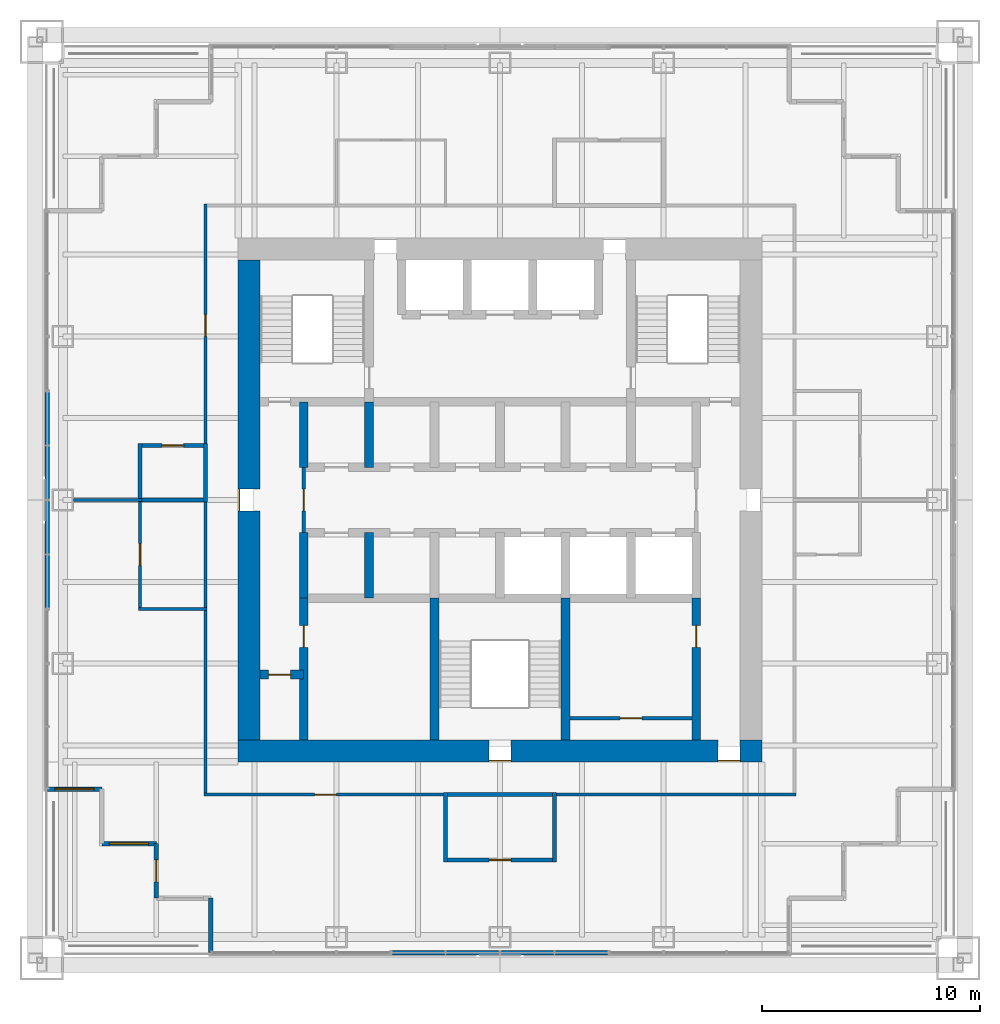
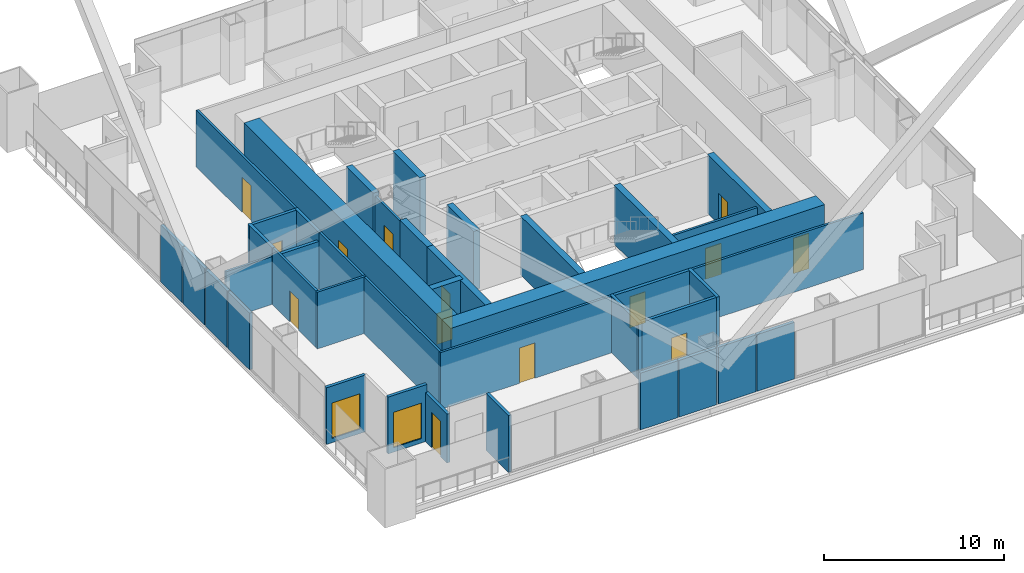
# One storey, part 14 of 19: 40 walls, 14 doors, 2 windows, 16 openings.
"""IFC4 building model written with IfcOpenShell, lengths in metres."""

import ifcopenshell
import ifcopenshell.guid

model = None  # the IFC model being written
_history = None  # IfcOwnerHistory: only IFC2X3 demands one
_inside = {}  # id of a spatial element -> (the spatial element, [elements in it])
_under = {}  # id of a project, library or spatial element -> (it, [spatial elements below it])
_declared = {}  # id of a project -> (the project, [libraries it declares])
_typed = {}  # id of a type object -> (the type object, [elements of that type])
_made_of = {}  # id of a material, layer set ... -> (it, [elements and type objects made of it])


def new_model(schema):
    """Start an empty IFC model of exactly this schema.

    Asked for "IFC4X3", IfcOpenShell would pick the latest addendum, in which some entities
    have other attributes; the version numbers below select the first issue.
    IFC2X3 requires an IfcOwnerHistory on every rooted entity: one is made here for all.
    """
    global model, _history
    if schema == "IFC4X3":
        model = ifcopenshell.file(schema_version=(4, 3, 0, 0))
    else:
        model = ifcopenshell.file(schema=schema)
    _inside.clear()
    _under.clear()
    _declared.clear()
    _typed.clear()
    _made_of.clear()
    _history = None
    if model.schema == "IFC2X3":
        org = make("IfcOrganization", Name="unknown")
        user = make(
            "IfcPersonAndOrganization",
            ThePerson=make("IfcPerson", FamilyName="unknown"),
            TheOrganization=org,
        )
        app = make(
            "IfcApplication",
            ApplicationDeveloper=org,
            Version="unknown",
            ApplicationFullName="unknown",
            ApplicationIdentifier="unknown",
        )
        _history = make(
            "IfcOwnerHistory",
            OwningUser=user,
            OwningApplication=app,
            ChangeAction="ADDED",
            CreationDate=0,
        )
    return model


def make(cls, **values):
    """One entity of the class cls with the attributes given. An attribute that is None is left unset."""
    return model.create_entity(
        cls, **{name: value for name, value in values.items() if value is not None}
    )


def rooted(cls, **values):
    """An entity with a GlobalId (a new one), such as an element, a storey or a relation."""
    return make(cls, GlobalId=ifcopenshell.guid.new(), OwnerHistory=_history, **values)


def si_unit(unit_type, name, prefix=None):
    """IfcSIUnit, for example si_unit("LENGTHUNIT", "METRE", prefix="MILLI")."""
    return make("IfcSIUnit", UnitType=unit_type, Prefix=prefix, Name=name)


def assignment(units):
    """IfcUnitAssignment: the units of a project."""
    return None if units is None else make("IfcUnitAssignment", Units=units)


def point(xyz):
    """IfcCartesianPoint."""
    return None if xyz is None else make("IfcCartesianPoint", Coordinates=xyz)


def direction(xyz):
    """IfcDirection."""
    return None if xyz is None else make("IfcDirection", DirectionRatios=xyz)


def frame(location, z_axis=None, x_axis=None):
    """IfcAxis2Placement3D, a coordinate frame: its origin and axes. An axis left out is left unset."""
    return make(
        "IfcAxis2Placement3D",
        Location=point(location),
        Axis=direction(z_axis),
        RefDirection=direction(x_axis),
    )


def frame_2d(location, x_axis=None):
    """IfcAxis2Placement2D, a coordinate frame in the plane: its origin and x axis."""
    return make(
        "IfcAxis2Placement2D", Location=point(location), RefDirection=direction(x_axis)
    )


def origin():
    """The frame at (0, 0, 0) with its axes left unset."""
    return frame((0.0, 0.0, 0.0))


def place(relative_to, where):
    """IfcLocalPlacement: puts the frame where relative to a parent placement (None: the world)."""
    return make(
        "IfcLocalPlacement", PlacementRelTo=relative_to, RelativePlacement=where
    )


def context(
    kind, dimensions, precision=None, world=None, true_north=None, identifier=None
):
    """IfcGeometricRepresentationContext, for example the 3D "Model" context."""
    return make(
        "IfcGeometricRepresentationContext",
        ContextIdentifier=identifier,
        ContextType=kind,
        CoordinateSpaceDimension=dimensions,
        Precision=precision,
        WorldCoordinateSystem=world,
        TrueNorth=true_north,
    )


def subcontext(parent, identifier, kind, view, scale=None):
    """IfcGeometricRepresentationSubContext, for example "Body" below "Model"."""
    return make(
        "IfcGeometricRepresentationSubContext",
        ContextIdentifier=identifier,
        ContextType=kind,
        ParentContext=parent,
        TargetScale=scale,
        TargetView=view,
    )


def project(units=None, contexts=None):
    """IfcProject with its units and contexts."""
    return rooted(
        "IfcProject",
        Name="project",
        RepresentationContexts=contexts,
        UnitsInContext=assignment(units),
    )


def spatial(cls, under=None, at=None, **own):
    """A site, building, storey or space (cls), placed at a placement, below another one or the project."""
    s = rooted(cls, ObjectPlacement=at, **own)
    if under is not None:
        _under.setdefault(under.id(), (under, []))[1].append(s)
    return s


def profile(cls, at=None, kind="AREA", **sizes):
    """A parametric profile (cls). Its sizes go by their IFC names, for example OverallWidth=200.0."""
    return make(cls, ProfileType=kind, Position=at, **sizes)


def rectangle(**sizes):
    """IfcRectangleProfileDef."""
    return profile("IfcRectangleProfileDef", **sizes)


def extrude(swept, where, along, depth):
    """IfcExtrudedAreaSolid: the profile swept, set in the frame where, extruded along a direction by depth."""
    return make(
        "IfcExtrudedAreaSolid",
        SweptArea=swept,
        Position=where,
        ExtrudedDirection=direction(along),
        Depth=depth,
    )


def shape(context_of_items, identifier, shape_type, items):
    """IfcShapeRepresentation: the items that make up one representation, for example the "Body"."""
    return make(
        "IfcShapeRepresentation",
        ContextOfItems=context_of_items,
        RepresentationIdentifier=identifier,
        RepresentationType=shape_type,
        Items=items,
    )


def material(Name=None, Category=None):
    """IfcMaterial."""
    return make("IfcMaterial", Name=Name, Category=Category)


def layer(
    of_material, thickness, ventilated=None, Name=None, Category=None, Priority=None
):
    """IfcMaterialLayer: one layer of a wall or slab, of a material (None: an air gap)."""
    return make(
        "IfcMaterialLayer",
        Material=of_material,
        LayerThickness=thickness,
        IsVentilated=ventilated,
        Name=Name,
        Category=Category,
        Priority=Priority,
    )


def layer_set(layers, Name=None):
    """IfcMaterialLayerSet."""
    return make("IfcMaterialLayerSet", MaterialLayers=layers, LayerSetName=Name)


def made_of(thing, what):
    """Note that an element or type object is made of a material, layer set ...; save() writes the relation."""
    if what is not None:
        _made_of.setdefault(what.id(), (what, []))[1].append(thing)
    return thing


def type_object(cls, material=None, **own):
    """A type object (cls), such as IfcWallType, which elements share."""
    return made_of(rooted(cls, **own), material)


def element(
    cls,
    number,
    at=None,
    inside=None,
    cuts=None,
    type_object=None,
    material=None,
    context=None,
    identifier="Body",
    shape_type=None,
    held_by="IfcProductDefinitionShape",
    body=None,
    shapes=None,
    **own,
):
    """One element of the class cls, such as IfcWall. Its Tag is "e" and its number.

    at: its placement. inside: the storey or other place that contains it. cuts: it is an
    opening in that element (IfcRelVoidsElement). A single representation is given by context,
    identifier, shape_type and body (its items); several are given by shapes. held_by: the class
    of the entity that holds the representations. save() writes the other relations.
    """
    e = rooted(cls, Tag="e%d" % number, ObjectPlacement=at, **own)
    if body is not None:
        shapes = [shape(context, identifier, shape_type, body)]
    if shapes is not None:
        e.Representation = make(held_by, Representations=shapes)
    if inside is not None:
        _inside.setdefault(inside.id(), (inside, []))[1].append(e)
    if cuts is not None:
        rooted(
            "IfcRelVoidsElement", RelatingBuildingElement=cuts, RelatedOpeningElement=e
        )
    if type_object is not None:
        _typed.setdefault(type_object.id(), (type_object, []))[1].append(e)
    return made_of(e, material)


def fill(opening, filler):
    """IfcRelFillsElement: the door or window that sits in an opening."""
    return rooted(
        "IfcRelFillsElement",
        RelatingOpeningElement=opening,
        RelatedBuildingElement=filler,
    )


def aggregate(whole, parts):
    """IfcRelAggregates: a whole, such as a stair, and the parts it consists of."""
    return rooted("IfcRelAggregates", RelatingObject=whole, RelatedObjects=parts)


def save(model, path):
    """Write the relations noted so far, then the file.

    IfcRelAggregates (storeys below a building ...), IfcRelContainedInSpatialStructure (elements
    in a storey), IfcRelDefinesByType, IfcRelAssociatesMaterial and IfcRelDeclares: one each for
    every whole, place, type object, material and project.
    """
    for whole, parts in _under.values():
        aggregate(whole, parts)
    for where, things in _inside.values():
        rooted(
            "IfcRelContainedInSpatialStructure",
            RelatedElements=things,
            RelatingStructure=where,
        )
    for kind, things in _typed.values():
        rooted("IfcRelDefinesByType", RelatedObjects=things, RelatingType=kind)
    for what, things in _made_of.values():
        rooted("IfcRelAssociatesMaterial", RelatedObjects=things, RelatingMaterial=what)
    for by, libraries in _declared.values():
        rooted("IfcRelDeclares", RelatingContext=by, RelatedDefinitions=libraries)
    model.write(path)


model = new_model("IFC4")

# Units and contexts
model_context = context("Model", 3, precision=1e-05, world=origin(), true_north=direction((0.0, 1.0)))
body_context = subcontext(model_context, "Body", "Model", "MODEL_VIEW")
ifc_project = project(units=[si_unit("LENGTHUNIT", "METRE"), si_unit("AREAUNIT", "SQUARE_METRE"), si_unit("VOLUMEUNIT", "CUBIC_METRE"), si_unit("PLANEANGLEUNIT", "RADIAN"), si_unit("MASSUNIT", "GRAM", prefix="KILO")], contexts=[model_context])

# Site, building, storey
site_placement = place(None, origin())
site = spatial("IfcSite", under=ifc_project, at=site_placement, CompositionType="ELEMENT")
building_placement = place(site_placement, origin())
building = spatial("IfcBuilding", under=site, at=building_placement, Name="Tarangal Relay Tower", CompositionType="ELEMENT")
storey_placement = place(building_placement, frame((0.0, 0.0, 275.89990234375)))
storey = spatial("IfcBuildingStorey", under=building, at=storey_placement, Name="L60", CompositionType="ELEMENT", Elevation=275.89990234375)

# Wall, opening, door
ifc_material_1 = material(Name="Two layers gypsum board each side on twin steel studs, mineral wool", Category="steel")
ifc_layer_1 = layer(ifc_material_1, 0.199951171875)
ifc_layer_set_1 = layer_set([ifc_layer_1], Name="Acoustic partition 200")
wall_type_1 = type_object("IfcWallType", Name="Acoustic partition 200", PredefinedType="PARTITIONING", material=ifc_layer_set_1)
wall_1_placement = place(storey_placement, frame((-2.60009765625, -16.5, 0.0), z_axis=(0.0, 0.0, 1.0), x_axis=(1.0, 0.0, 0.0)))
wall_1 = element("IfcWall", 1, at=wall_1_placement, inside=storey, type_object=wall_type_1, Name="Partition PT2 L60", PredefinedType="PARTITIONING", context=body_context, shape_type="SweptSolid", body=[
    extrude(rectangle(XDim=5.2001953125, YDim=0.199951171875, at=frame_2d((2.60009765625, 0.0))), origin(), (0.0, 0.0, 1.0), 3.85009765625),
])
opening_1_placement = place(wall_1_placement, frame((2.10009765625, 0.0, 0.0)))
opening_1 = element("IfcOpeningElement", 2, at=opening_1_placement, cuts=wall_1, Name="Opening D2", PredefinedType="OPENING", context=body_context, shape_type="SweptSolid", body=[
    extrude(rectangle(XDim=1.0, YDim=2.10009765625, at=frame_2d((0.5, 1.050048828125))), frame((0.0, 0.10986328125, 0.0), z_axis=(0.0, -1.0, 0.0), x_axis=(1.0, 0.0, 0.0)), (0.0, 0.0, 1.0), 0.219970703125),
])
ifc_material_2 = material(Name="Hardwood door", Category="wood")
door_type_1 = type_object("IfcDoorType", Name="Door 1000 x 2100", OperationType="SINGLE_SWING_LEFT", PredefinedType="DOOR", material=ifc_material_2)
door_1_placement = place(opening_1_placement, origin())
door_1 = element("IfcDoor", 3, at=door_1_placement, inside=storey, type_object=door_type_1, Name="Door D2 to meeting room L60-06", OperationType="SINGLE_SWING_LEFT", OverallHeight=2.10009765625, OverallWidth=1.0, PredefinedType="DOOR", context=body_context, shape_type="SweptSolid", body=[
    extrude(rectangle(XDim=1.0, YDim=2.10009765625, at=frame_2d((0.5, 1.050048828125))), frame((0.0, 0.02490234375, 0.0), z_axis=(0.0, -1.0, 0.0), x_axis=(1.0, 0.0, 0.0)), (0.0, 0.0, 1.0), 0.050048828125),
])
fill(opening_1, door_1)

# Walls
wall_2_placement = place(storey_placement, frame((-2.60009765625, -13.5, 0.0), z_axis=(0.0, 0.0, 1.0), x_axis=(1.0, 0.0, 0.0)))
element("IfcWall", 4, at=wall_2_placement, inside=storey, type_object=wall_type_1, Name="Partition PT2 L60", PredefinedType="PARTITIONING", context=body_context, shape_type="SweptSolid", body=[
    extrude(rectangle(XDim=5.2001953125, YDim=0.199951171875, at=frame_2d((2.60009765625, 0.0))), origin(), (0.0, 0.0, 1.0), 3.85009765625),
])
wall_3_placement = place(storey_placement, frame((-16.60009765625, 0.0, 0.0), z_axis=(0.0, 0.0, 1.0), x_axis=(1.0, 0.0, 0.0)))
element("IfcWall", 5, at=wall_3_placement, inside=storey, type_object=wall_type_1, Name="Partition PT2 L60", PredefinedType="PARTITIONING", context=body_context, shape_type="SweptSolid", body=[
    extrude(rectangle(XDim=3.2001953125, YDim=0.199951171875, at=frame_2d((1.60009765625, 0.0))), origin(), (0.0, 0.0, 1.0), 3.2431640625),
])

# Wall, opening, door
wall_4_placement = place(storey_placement, frame((-16.60009765625, 2.5, 0.0), z_axis=(0.0, 0.0, 1.0), x_axis=(1.0, 0.0, 0.0)))
wall_4 = element("IfcWall", 6, at=wall_4_placement, inside=storey, type_object=wall_type_1, Name="Partition PT2 L60", PredefinedType="PARTITIONING", context=body_context, shape_type="SweptSolid", body=[
    extrude(rectangle(XDim=3.2001953125, YDim=0.199951171875, at=frame_2d((1.60009765625, 0.0))), origin(), (0.0, 0.0, 1.0), 3.85009765625),
])
opening_2_placement = place(wall_4_placement, frame((1.10009765625, 0.0, 0.0)))
opening_2 = element("IfcOpeningElement", 7, at=opening_2_placement, cuts=wall_4, Name="Opening D2", PredefinedType="OPENING", context=body_context, shape_type="SweptSolid", body=[
    extrude(rectangle(XDim=1.0, YDim=2.10009765625, at=frame_2d((0.5, 1.050048828125))), frame((0.0, 0.10986328125, 0.0), z_axis=(0.0, -1.0, 0.0), x_axis=(1.0, 0.0, 0.0)), (0.0, 0.0, 1.0), 0.219970703125),
])
door_2_placement = place(opening_2_placement, origin())
door_2 = element("IfcDoor", 8, at=door_2_placement, inside=storey, type_object=door_type_1, Name="Door D2 to phone room L60-08", OperationType="SINGLE_SWING_LEFT", OverallHeight=2.10009765625, OverallWidth=1.0, PredefinedType="DOOR", context=body_context, shape_type="SweptSolid", body=[
    extrude(rectangle(XDim=1.0, YDim=2.10009765625, at=frame_2d((0.5, 1.050048828125))), frame((0.0, 0.02490234375, 0.0), z_axis=(0.0, -1.0, 0.0), x_axis=(1.0, 0.0, 0.0)), (0.0, 0.0, 1.0), 0.050048828125),
])
fill(opening_2, door_2)

# Walls
for number, where, z_axis, x_axis, name in (
    (9, (-16.5, -0.10009765625, 0.0), (0.0, 0.0, 1.0), (0.0, 1.0, 0.0), "Partition PT2 L60"),
    (10, (-13.5, -0.10009765625, 0.0), (0.0, 0.0, 1.0), (0.0, 1.0, 0.0), "Partition PT2 L60"),
):
    element("IfcWall", number, at=place(storey_placement, frame(where, z_axis=z_axis, x_axis=x_axis)), inside=storey, type_object=wall_type_1, Name=name, PredefinedType="PARTITIONING", context=body_context, shape_type="SweptSolid", body=[
        extrude(rectangle(XDim=2.7001953125, YDim=0.199951171875, at=frame_2d((1.35009765625, 0.0))), origin(), (0.0, 0.0, 1.0), 3.85009765625),
    ])
for number, where, z_axis, x_axis, name in (
    (11, (-2.5, -16.60009765625, 0.0), (0.0, 0.0, 1.0), (0.0, 1.0, 0.0), "Partition PT2 L60"),
    (12, (2.5, -16.60009765625, 0.0), (0.0, 0.0, 1.0), (0.0, 1.0, 0.0), "Partition PT2 L60"),
):
    element("IfcWall", number, at=place(storey_placement, frame(where, z_axis=z_axis, x_axis=x_axis)), inside=storey, type_object=wall_type_1, Name=name, PredefinedType="PARTITIONING", context=body_context, shape_type="SweptSolid", body=[
        extrude(rectangle(XDim=3.2001953125, YDim=0.199951171875, at=frame_2d((1.60009765625, 0.0))), origin(), (0.0, 0.0, 1.0), 3.85009765625),
    ])

# Wall, opening, door
ifc_material_3 = material(Name="Concrete fc' 60 MPa", Category="concrete")
ifc_layer_2 = layer(ifc_material_3, 0.39990234375)
ifc_layer_set_2 = layer_set([ifc_layer_2], Name="Core inner wall 400")
wall_type_2 = type_object("IfcWallType", Name="Core inner wall 400", PredefinedType="SHEAR", material=ifc_layer_set_2)
wall_5_placement = place(storey_placement, frame((-11.0, -8.0, 0.0), z_axis=(0.0, 0.0, 1.0), x_axis=(1.0, 0.0, 0.0)))
wall_5 = element("IfcWall", 13, at=wall_5_placement, inside=storey, type_object=wall_type_2, Name="Core wall YM8 L60", PredefinedType="SHEAR", context=body_context, shape_type="SweptSolid", body=[
    extrude(rectangle(XDim=2.0, YDim=0.39990234375, at=frame_2d((1.0, 0.0))), origin(), (0.0, 0.0, 1.0), 4.0),
])
opening_3_placement = place(wall_5_placement, frame((0.39990234375, 0.0, 0.0)))
opening_3 = element("IfcOpeningElement", 14, at=opening_3_placement, cuts=wall_5, Name="Opening D1", PredefinedType="OPENING", context=body_context, shape_type="SweptSolid", body=[
    extrude(rectangle(XDim=1.0, YDim=2.10009765625, at=frame_2d((0.5, 1.050048828125))), frame((0.0, 0.2099609375, 0.0), z_axis=(0.0, -1.0, 0.0), x_axis=(1.0, 0.0, 0.0)), (0.0, 0.0, 1.0), 0.419921875),
])
door_type_2 = type_object("IfcDoorType", Name="WC door 1000 x 2100", OperationType="SINGLE_SWING_LEFT", PredefinedType="DOOR", material=ifc_material_2)
door_3_placement = place(opening_3_placement, origin())
door_3 = element("IfcDoor", 15, at=door_3_placement, inside=storey, type_object=door_type_2, Name="Accessible WC door L60", OperationType="SINGLE_SWING_LEFT", OverallHeight=2.10009765625, OverallWidth=1.0, PredefinedType="DOOR", context=body_context, shape_type="SweptSolid", body=[
    extrude(rectangle(XDim=1.0, YDim=2.10009765625, at=frame_2d((0.5, 1.050048828125))), frame((0.0, 0.02490234375, 0.0), z_axis=(0.0, -1.0, 0.0), x_axis=(1.0, 0.0, 0.0)), (0.0, 0.0, 1.0), 0.050048828125),
])
fill(opening_3, door_3)

# Walls
for number, where, z_axis, x_axis, name in (
    (16, (-9.0, 1.5, 0.0), (0.0, 0.0, 1.0), (0.0, 1.0, 0.0), "Core wall XM9N L60"),
    (17, (-9.0, -4.5, 0.0), (0.0, 0.0, 1.0), (0.0, 1.0, 0.0), "Core wall XM9S L60"),
    (18, (-6.0, 1.5, 0.0), (0.0, 0.0, 1.0), (0.0, 1.0, 0.0), "Core wall XM6N L60"),
    (19, (-6.0, -4.5, 0.0), (0.0, 0.0, 1.0), (0.0, 1.0, 0.0), "Core wall XM6S L60"),
):
    element("IfcWall", number, at=place(storey_placement, frame(where, z_axis=z_axis, x_axis=x_axis)), inside=storey, type_object=wall_type_2, Name=name, PredefinedType="SHEAR", context=body_context, shape_type="SweptSolid", body=[
        extrude(rectangle(XDim=3.0, YDim=0.39990234375, at=frame_2d((1.5, 0.0))), origin(), (0.0, 0.0, 1.0), 4.0),
    ])

# Wall, opening, door
wall_6_placement = place(storey_placement, frame((-9.0, -11.0, 0.0), z_axis=(0.0, 0.0, 1.0), x_axis=(0.0, 1.0, 0.0)))
wall_6 = element("IfcWall", 20, at=wall_6_placement, inside=storey, type_object=wall_type_2, Name="Core wall XM9W L60", PredefinedType="SHEAR", context=body_context, shape_type="SweptSolid", body=[
    extrude(rectangle(XDim=6.5, YDim=0.39990234375, at=frame_2d((3.25, 0.0))), origin(), (0.0, 0.0, 1.0), 4.0),
])
opening_4_placement = place(wall_6_placement, frame((4.25, 0.0, 0.0)))
opening_4 = element("IfcOpeningElement", 21, at=opening_4_placement, cuts=wall_6, Name="Opening D1", PredefinedType="OPENING", context=body_context, shape_type="SweptSolid", body=[
    extrude(rectangle(XDim=1.0, YDim=2.10009765625, at=frame_2d((0.5, 1.050048828125))), frame((0.0, 0.2099609375, 0.0), z_axis=(0.0, -1.0, 0.0), x_axis=(1.0, 0.0, 0.0)), (0.0, 0.0, 1.0), 0.419921875),
])
door_4_placement = place(opening_4_placement, origin())
door_4 = element("IfcDoor", 22, at=door_4_placement, inside=storey, type_object=door_type_2, Name="Male WC door L60", OperationType="SINGLE_SWING_LEFT", OverallHeight=2.10009765625, OverallWidth=1.0, PredefinedType="DOOR", context=body_context, shape_type="SweptSolid", body=[
    extrude(rectangle(XDim=1.0, YDim=2.10009765625, at=frame_2d((0.5, 1.050048828125))), frame((0.0, 0.02490234375, 0.0), z_axis=(0.0, -1.0, 0.0), x_axis=(1.0, 0.0, 0.0)), (0.0, 0.0, 1.0), 0.050048828125),
])
fill(opening_4, door_4)

wall_7_placement = place(storey_placement, frame((9.0, -11.0, 0.0), z_axis=(0.0, 0.0, 1.0), x_axis=(0.0, 1.0, 0.0)))
wall_7 = element("IfcWall", 23, at=wall_7_placement, inside=storey, type_object=wall_type_2, Name="Core wall X9W L60", PredefinedType="SHEAR", context=body_context, shape_type="SweptSolid", body=[
    extrude(rectangle(XDim=6.5, YDim=0.39990234375, at=frame_2d((3.25, 0.0))), origin(), (0.0, 0.0, 1.0), 4.0),
])
opening_5_placement = place(wall_7_placement, frame((4.25, 0.0, 0.0)))
opening_5 = element("IfcOpeningElement", 24, at=opening_5_placement, cuts=wall_7, Name="Opening D1", PredefinedType="OPENING", context=body_context, shape_type="SweptSolid", body=[
    extrude(rectangle(XDim=1.0, YDim=2.10009765625, at=frame_2d((0.5, 1.050048828125))), frame((0.0, 0.2099609375, 0.0), z_axis=(0.0, -1.0, 0.0), x_axis=(1.0, 0.0, 0.0)), (0.0, 0.0, 1.0), 0.419921875),
])
door_5_placement = place(opening_5_placement, origin())
door_5 = element("IfcDoor", 25, at=door_5_placement, inside=storey, type_object=door_type_2, Name="Female WC door L60", OperationType="SINGLE_SWING_LEFT", OverallHeight=2.10009765625, OverallWidth=1.0, PredefinedType="DOOR", context=body_context, shape_type="SweptSolid", body=[
    extrude(rectangle(XDim=1.0, YDim=2.10009765625, at=frame_2d((0.5, 1.050048828125))), frame((0.0, 0.02490234375, 0.0), z_axis=(0.0, -1.0, 0.0), x_axis=(1.0, 0.0, 0.0)), (0.0, 0.0, 1.0), 0.050048828125),
])
fill(opening_5, door_5)

# Walls
for number, where, z_axis, x_axis, name in (
    (26, (-3.0, -11.0, 0.0), (0.0, 0.0, 1.0), (0.0, 1.0, 0.0), "Core wall XM3W L60"),
    (27, (3.0, -11.0, 0.0), (0.0, 0.0, 1.0), (0.0, 1.0, 0.0), "Core wall X3W L60"),
):
    element("IfcWall", number, at=place(storey_placement, frame(where, z_axis=z_axis, x_axis=x_axis)), inside=storey, type_object=wall_type_2, Name=name, PredefinedType="SHEAR", context=body_context, shape_type="SweptSolid", body=[
        extrude(rectangle(XDim=6.5, YDim=0.39990234375, at=frame_2d((3.25, 0.0))), origin(), (0.0, 0.0, 1.0), 4.0),
    ])

# Wall, openings, doors
ifc_layer_3 = layer(ifc_material_3, 1.0)
ifc_layer_set_3 = layer_set([ifc_layer_3], Name="Core wall 1000")
wall_type_3 = type_object("IfcWallType", Name="Core wall 1000", PredefinedType="SHEAR", material=ifc_layer_set_3)
wall_8_placement = place(storey_placement, frame((12.0, -11.5, 0.0), z_axis=(0.0, 0.0, 1.0), x_axis=(-1.0, 0.0, 0.0)))
wall_8 = element("IfcWall", 28, at=wall_8_placement, inside=storey, type_object=wall_type_3, Name="Core wall S L60", PredefinedType="SHEAR", context=body_context, shape_type="SweptSolid", body=[
    extrude(rectangle(XDim=24.0, YDim=1.0, at=frame_2d((12.0, 0.0))), origin(), (0.0, 0.0, 1.0), 4.0),
])
opening_6_placement = place(wall_8_placement, frame((11.5, 0.0, 0.0)))
opening_6 = element("IfcOpeningElement", 29, at=opening_6_placement, cuts=wall_8, Name="Opening FD1", PredefinedType="OPENING", context=body_context, shape_type="SweptSolid", body=[
    extrude(rectangle(XDim=1.0, YDim=2.10009765625, at=frame_2d((0.5, 1.050048828125))), frame((0.0, 0.510009765625, 0.0), z_axis=(0.0, -1.0, 0.0), x_axis=(1.0, 0.0, 0.0)), (0.0, 0.0, 1.0), 1.02001953125),
])
opening_7_placement = place(wall_8_placement, frame((1.0, 0.0, 0.0)))
opening_7 = element("IfcOpeningElement", 30, at=opening_7_placement, cuts=wall_8, Name="Opening FD3", PredefinedType="OPENING", context=body_context, shape_type="SweptSolid", body=[
    extrude(rectangle(XDim=1.0, YDim=2.39990234375, at=frame_2d((0.5, 1.199951171875))), frame((0.0, 0.510009765625, 0.0), z_axis=(0.0, -1.0, 0.0), x_axis=(1.0, 0.0, 0.0)), (0.0, 0.0, 1.0), 1.02001953125),
])
ifc_material_4 = material(Name="Steel door with hardwood frame", Category="steel")
door_type_3 = type_object("IfcDoorType", Name="Fire door 1000 x 2100", OperationType="SINGLE_SWING_LEFT", PredefinedType="DOOR", material=ifc_material_4)
door_6_placement = place(opening_6_placement, origin())
door_6 = element("IfcDoor", 31, at=door_6_placement, inside=storey, type_object=door_type_3, Name="Stair ST-C door L60", OperationType="SINGLE_SWING_LEFT", OverallHeight=2.10009765625, OverallWidth=1.0, PredefinedType="DOOR", context=body_context, shape_type="SweptSolid", body=[
    extrude(rectangle(XDim=1.0, YDim=2.10009765625, at=frame_2d((0.5, 1.050048828125))), frame((0.0, 0.48486328125, 0.0), z_axis=(0.0, -1.0, 0.0), x_axis=(1.0, 0.0, 0.0)), (0.0, 0.0, 1.0), 0.050048828125),
])
fill(opening_6, door_6)
door_type_4 = type_object("IfcDoorType", Name="Fire door 1000 x 2400 core entry", OperationType="SINGLE_SWING_RIGHT", PredefinedType="DOOR", material=ifc_material_4)
door_7_placement = place(opening_7_placement, origin())
door_7 = element("IfcDoor", 32, at=door_7_placement, inside=storey, type_object=door_type_4, Name="Core entry door south east L60", OperationType="SINGLE_SWING_RIGHT", OverallHeight=2.39990234375, OverallWidth=1.0, PredefinedType="DOOR", context=body_context, shape_type="SweptSolid", body=[
    extrude(rectangle(XDim=1.0, YDim=2.39990234375, at=frame_2d((0.5, 1.199951171875))), frame((0.0, 0.48486328125, 0.0), z_axis=(0.0, -1.0, 0.0), x_axis=(1.0, 0.0, 0.0)), (0.0, 0.0, 1.0), 0.050048828125),
])
fill(opening_7, door_7)

# Wall, opening, door
wall_9_placement = place(storey_placement, frame((-11.5, -11.0, 0.0), z_axis=(0.0, 0.0, 1.0), x_axis=(0.0, 1.0, 0.0)))
wall_9 = element("IfcWall", 33, at=wall_9_placement, inside=storey, type_object=wall_type_3, Name="Core wall W L60", PredefinedType="SHEAR", context=body_context, shape_type="SweptSolid", body=[
    extrude(rectangle(XDim=22.0, YDim=1.0, at=frame_2d((11.0, 0.0))), origin(), (0.0, 0.0, 1.0), 4.0),
])
opening_8_placement = place(wall_9_placement, frame((10.5, 0.0, 0.0)))
opening_8 = element("IfcOpeningElement", 34, at=opening_8_placement, cuts=wall_9, Name="Opening FD3", PredefinedType="OPENING", context=body_context, shape_type="SweptSolid", body=[
    extrude(rectangle(XDim=1.0, YDim=2.39990234375, at=frame_2d((0.5, 1.199951171875))), frame((0.0, 0.510009765625, 0.0), z_axis=(0.0, -1.0, 0.0), x_axis=(1.0, 0.0, 0.0)), (0.0, 0.0, 1.0), 1.02001953125),
])
door_8_placement = place(opening_8_placement, origin())
door_8 = element("IfcDoor", 35, at=door_8_placement, inside=storey, type_object=door_type_4, Name="Core entry door west L60", OperationType="SINGLE_SWING_RIGHT", OverallHeight=2.39990234375, OverallWidth=1.0, PredefinedType="DOOR", context=body_context, shape_type="SweptSolid", body=[
    extrude(rectangle(XDim=1.0, YDim=2.39990234375, at=frame_2d((0.5, 1.199951171875))), frame((0.0, 0.48486328125, 0.0), z_axis=(0.0, -1.0, 0.0), x_axis=(1.0, 0.0, 0.0)), (0.0, 0.0, 1.0), 0.050048828125),
])
fill(opening_8, door_8)

# Wall
ifc_material_5 = material(Name="Black metal clad insulated wall", Category="steel")
ifc_layer_4 = layer(ifc_material_5, 0.199951171875)
ifc_layer_set_4 = layer_set([ifc_layer_4], Name="Corner wall metal clad 200")
wall_type_4 = type_object("IfcWallType", Name="Corner wall metal clad 200", PredefinedType="SOLIDWALL", material=ifc_layer_set_4)
wall_10_placement = place(storey_placement, frame((-13.25, -20.75, 0.0), z_axis=(0.0, 0.0, 1.0), x_axis=(0.0, 1.0, 0.0)))
element("IfcWall", 36, at=wall_10_placement, inside=storey, type_object=wall_type_4, Name="Facade wall S facade L60", PredefinedType="SOLIDWALL", context=body_context, shape_type="SweptSolid", body=[
    extrude(rectangle(XDim=2.5, YDim=0.199951171875, at=frame_2d((1.25, 0.0))), origin(), (0.0, 0.0, 1.0), 3.85009765625),
])

# Wall, opening, door
wall_11_placement = place(storey_placement, frame((-15.75, -18.25, 0.0), z_axis=(0.0, 0.0, 1.0), x_axis=(0.0, 1.0, 0.0)))
wall_11 = element("IfcWall", 37, at=wall_11_placement, inside=storey, type_object=wall_type_4, Name="Facade wall S facade L60", PredefinedType="SOLIDWALL", context=body_context, shape_type="SweptSolid", body=[
    extrude(rectangle(XDim=2.5, YDim=0.199951171875, at=frame_2d((1.25, 0.0))), origin(), (0.0, 0.0, 1.0), 3.316650390625),
])
opening_9_placement = place(wall_11_placement, frame((0.75, 0.0, 0.0)))
opening_9 = element("IfcOpeningElement", 38, at=opening_9_placement, cuts=wall_11, Name="Opening TD1", PredefinedType="OPENING", context=body_context, shape_type="SweptSolid", body=[
    extrude(rectangle(XDim=1.0, YDim=2.39990234375, at=frame_2d((0.5, 1.199951171875))), frame((0.0, 0.10986328125, 0.0), z_axis=(0.0, -1.0, 0.0), x_axis=(1.0, 0.0, 0.0)), (0.0, 0.0, 1.0), 0.219970703125),
])
ifc_material_6 = material(Name="Aluminium glazed door", Category="aluminium")
door_type_5 = type_object("IfcDoorType", Name="Terrace door 1000 x 2400", OperationType="SINGLE_SWING_RIGHT", PredefinedType="DOOR", material=ifc_material_6)
door_9_placement = place(opening_9_placement, origin())
door_9 = element("IfcDoor", 39, at=door_9_placement, inside=storey, type_object=door_type_5, Name="Terrace door TD1 SW L60", OperationType="SINGLE_SWING_RIGHT", OverallHeight=2.39990234375, OverallWidth=1.0, PredefinedType="DOOR", context=body_context, shape_type="SweptSolid", body=[
    extrude(rectangle(XDim=1.0, YDim=2.39990234375, at=frame_2d((0.5, 1.199951171875))), frame((0.0, 0.02490234375, 0.0), z_axis=(0.0, -1.0, 0.0), x_axis=(1.0, 0.0, 0.0)), (0.0, 0.0, 1.0), 0.050048828125),
])
fill(opening_9, door_9)

# Wall, opening, window
wall_12_placement = place(storey_placement, frame((-15.75, -15.75, 0.0), z_axis=(0.0, 0.0, 1.0), x_axis=(-1.0, 0.0, 0.0)))
wall_12 = element("IfcWall", 40, at=wall_12_placement, inside=storey, type_object=wall_type_4, Name="Facade wall S facade L60", PredefinedType="SOLIDWALL", context=body_context, shape_type="SweptSolid", body=[
    extrude(rectangle(XDim=2.5, YDim=0.199951171875, at=frame_2d((1.25, 0.0))), origin(), (0.0, 0.0, 1.0), 3.85009765625),
])
opening_10_placement = place(wall_12_placement, frame((0.35009765625, 0.0, 0.300048828125)))
opening_10 = element("IfcOpeningElement", 41, at=opening_10_placement, cuts=wall_12, Name="Opening WN2", PredefinedType="OPENING", context=body_context, shape_type="SweptSolid", body=[
    extrude(rectangle(XDim=1.800048828125, YDim=2.39990234375, at=frame_2d((0.89990234375, 1.199951171875))), frame((0.0, 0.10986328125, 0.0), z_axis=(0.0, -1.0, 0.0), x_axis=(1.0, 0.0, 0.0)), (0.0, 0.0, 1.0), 0.219970703125),
])
ifc_material_7 = material(Name="Dark tinted double glazing in black aluminium frame", Category="aluminium")
window_type = type_object("IfcWindowType", Name="Corner window 1800 x 2400", PartitioningType="SINGLE_PANEL", PredefinedType="WINDOW", material=ifc_material_7)
window_1_placement = place(opening_10_placement, origin())
window_1 = element("IfcWindow", 42, at=window_1_placement, inside=storey, type_object=window_type, Name="Corner window WN2 S facade L60", OverallHeight=2.39990234375, OverallWidth=1.800048828125, PartitioningType="SINGLE_PANEL", PredefinedType="WINDOW", context=body_context, shape_type="SweptSolid", body=[
    extrude(rectangle(XDim=1.800048828125, YDim=2.39990234375, at=frame_2d((0.89990234375, 1.199951171875))), frame((0.0, 0.030029296875, 0.0), z_axis=(0.0, -1.0, 0.0), x_axis=(1.0, 0.0, 0.0)), (0.0, 0.0, 1.0), 0.06005859375),
])
fill(opening_10, window_1)

wall_13_placement = place(storey_placement, frame((-18.25, -13.25, 0.0), z_axis=(0.0, 0.0, 1.0), x_axis=(-1.0, 0.0, 0.0)))
wall_13 = element("IfcWall", 43, at=wall_13_placement, inside=storey, type_object=wall_type_4, Name="Facade wall S facade L60", PredefinedType="SOLIDWALL", context=body_context, shape_type="SweptSolid", body=[
    extrude(rectangle(XDim=2.5, YDim=0.199951171875, at=frame_2d((1.25, 0.0))), origin(), (0.0, 0.0, 1.0), 3.85009765625),
])
opening_11_placement = place(wall_13_placement, frame((0.35009765625, 0.0, 0.300048828125)))
opening_11 = element("IfcOpeningElement", 44, at=opening_11_placement, cuts=wall_13, Name="Opening WN2", PredefinedType="OPENING", context=body_context, shape_type="SweptSolid", body=[
    extrude(rectangle(XDim=1.800048828125, YDim=2.39990234375, at=frame_2d((0.89990234375, 1.199951171875))), frame((0.0, 0.10986328125, 0.0), z_axis=(0.0, -1.0, 0.0), x_axis=(1.0, 0.0, 0.0)), (0.0, 0.0, 1.0), 0.219970703125),
])
window_2_placement = place(opening_11_placement, origin())
window_2 = element("IfcWindow", 45, at=window_2_placement, inside=storey, type_object=window_type, Name="Corner window WN2 S facade L60", OverallHeight=2.39990234375, OverallWidth=1.800048828125, PartitioningType="SINGLE_PANEL", PredefinedType="WINDOW", context=body_context, shape_type="SweptSolid", body=[
    extrude(rectangle(XDim=1.800048828125, YDim=2.39990234375, at=frame_2d((0.89990234375, 1.199951171875))), frame((0.0, 0.030029296875, 0.0), z_axis=(0.0, -1.0, 0.0), x_axis=(1.0, 0.0, 0.0)), (0.0, 0.0, 1.0), 0.06005859375),
])
fill(opening_11, window_2)

# Walls
ifc_layer_5 = layer(ifc_material_5, 0.199951171875)
ifc_layer_set_5 = layer_set([ifc_layer_5], Name="Facade infill wall metal clad 200")
wall_type_5 = type_object("IfcWallType", Name="Facade infill wall metal clad 200", PredefinedType="SOLIDWALL", material=ifc_layer_set_5)
for number, where, z_axis, x_axis, name in (
    (46, (4.93994140625, -20.75, 0.0), (0.0, 0.0, 1.0), (-1.0, 0.0, 0.0), "Facade infill wall S facade L60 1.1"),
    (47, (2.469970703125, -20.75, 0.0), (0.0, 0.0, 1.0), (-1.0, 0.0, 0.0), "Facade infill wall S facade L60 2.1"),
    (48, (-0.06005859375, -20.75, 0.0), (0.0, 0.0, 1.0), (-1.0, 0.0, 0.0), "Facade infill wall S facade L60 1.1"),
    (49, (-2.530029296875, -20.75, 0.0), (0.0, 0.0, 1.0), (-1.0, 0.0, 0.0), "Facade infill wall S facade L60 2.1"),
    (50, (-20.75, -4.93994140625, 0.0), (0.0, 0.0, 1.0), (0.0, 1.0, 0.0), "Facade infill wall W facade L60 1.1"),
    (51, (-20.75, -2.469970703125, 0.0), (0.0, 0.0, 1.0), (0.0, 1.0, 0.0), "Facade infill wall W facade L60 2.1"),
    (52, (-20.75, 0.06005859375, 0.0), (0.0, 0.0, 1.0), (0.0, 1.0, 0.0), "Facade infill wall W facade L60 1.1"),
    (53, (-20.75, 2.530029296875, 0.0), (0.0, 0.0, 1.0), (0.0, 1.0, 0.0), "Facade infill wall W facade L60 2.1"),
):
    element("IfcWall", number, at=place(storey_placement, frame(where, z_axis=z_axis, x_axis=x_axis)), inside=storey, type_object=wall_type_5, Name=name, PredefinedType="SOLIDWALL", context=body_context, shape_type="SweptSolid", body=[
        extrude(rectangle(XDim=2.409912109375, YDim=0.199951171875, at=frame_2d((1.205078125, 0.0))), origin(), (0.0, 0.0, 1.0), 3.85009765625),
    ])

# Wall, opening, door
ifc_material_8 = material(Name="Gypsum board on steel studs", Category="steel")
ifc_layer_6 = layer(ifc_material_8, 0.14990234375)
ifc_layer_set_6 = layer_set([ifc_layer_6], Name="Partition 150")
wall_type_6 = type_object("IfcWallType", Name="Partition 150", PredefinedType="PARTITIONING", material=ifc_layer_set_6)
wall_14_placement = place(storey_placement, frame((-13.574951171875, -13.5, 0.0), z_axis=(0.0, 0.0, 1.0), x_axis=(1.0, 0.0, 0.0)))
wall_14 = element("IfcWall", 54, at=wall_14_placement, inside=storey, type_object=wall_type_6, Name="Partition PT1 L60", PredefinedType="PARTITIONING", context=body_context, shape_type="SweptSolid", body=[
    extrude(rectangle(XDim=11.14990234375, YDim=0.14990234375, at=frame_2d((5.574951171875, 0.0))), origin(), (0.0, 0.0, 1.0), 3.85009765625),
])
opening_12_placement = place(wall_14_placement, frame((5.074951171875, 0.0, 0.0)))
opening_12 = element("IfcOpeningElement", 55, at=opening_12_placement, cuts=wall_14, Name="Opening SD1", PredefinedType="OPENING", context=body_context, shape_type="SweptSolid", body=[
    extrude(rectangle(XDim=1.0, YDim=2.39990234375, at=frame_2d((0.5, 1.199951171875))), frame((0.0, 0.0849609375, 0.0), z_axis=(0.0, -1.0, 0.0), x_axis=(1.0, 0.0, 0.0)), (0.0, 0.0, 1.0), 0.169921875),
])
door_type_6 = type_object("IfcDoorType", Name="Suite entrance door 1000 x 2400", OperationType="SINGLE_SWING_RIGHT", PredefinedType="DOOR", material=ifc_material_4)
door_10_placement = place(opening_12_placement, origin())
door_10 = element("IfcDoor", 56, at=door_10_placement, inside=storey, type_object=door_type_6, Name="Door SD1 to open plan office L60-10", OperationType="SINGLE_SWING_RIGHT", OverallHeight=2.39990234375, OverallWidth=1.0, PredefinedType="DOOR", context=body_context, shape_type="SweptSolid", body=[
    extrude(rectangle(XDim=1.0, YDim=2.39990234375, at=frame_2d((0.5, 1.199951171875))), frame((0.0, 0.02490234375, 0.0), z_axis=(0.0, -1.0, 0.0), x_axis=(1.0, 0.0, 0.0)), (0.0, 0.0, 1.0), 0.050048828125),
])
fill(opening_12, door_10)

# Walls
wall_15_placement = place(storey_placement, frame((2.425048828125, -13.5, 0.0), z_axis=(0.0, 0.0, 1.0), x_axis=(1.0, 0.0, 0.0)))
element("IfcWall", 57, at=wall_15_placement, inside=storey, type_object=wall_type_6, Name="Partition PT1 L60", PredefinedType="PARTITIONING", context=body_context, shape_type="SweptSolid", body=[
    extrude(rectangle(XDim=11.14990234375, YDim=0.14990234375, at=frame_2d((5.574951171875, 0.0))), origin(), (0.0, 0.0, 1.0), 3.85009765625),
])
wall_16_placement = place(storey_placement, frame((-16.574951171875, -5.0, 0.0), z_axis=(0.0, 0.0, 1.0), x_axis=(1.0, 0.0, 0.0)))
element("IfcWall", 58, at=wall_16_placement, inside=storey, type_object=wall_type_6, Name="Partition PT1 L60", PredefinedType="PARTITIONING", context=body_context, shape_type="SweptSolid", body=[
    extrude(rectangle(XDim=3.14990234375, YDim=0.14990234375, at=frame_2d((1.574951171875, 0.0))), origin(), (0.0, 0.0, 1.0), 3.85009765625),
])
wall_17_placement = place(storey_placement, frame((-19.5400390625, 0.0, 0.0), z_axis=(0.0, 0.0, 1.0), x_axis=(1.0, 0.0, 0.0)))
element("IfcWall", 59, at=wall_17_placement, inside=storey, type_object=wall_type_6, Name="Partition PT1 L60", PredefinedType="PARTITIONING", context=body_context, shape_type="SweptSolid", body=[
    extrude(rectangle(XDim=3.114990234375, YDim=0.14990234375, at=frame_2d((1.5576171875, 0.0))), origin(), (0.0, 0.0, 1.0), 3.2431640625),
])

# Wall, opening, door
wall_18_placement = place(storey_placement, frame((-16.5, -5.074951171875, 0.0), z_axis=(0.0, 0.0, 1.0), x_axis=(0.0, 1.0, 0.0)))
wall_18 = element("IfcWall", 60, at=wall_18_placement, inside=storey, type_object=wall_type_6, Name="Partition PT1 L60", PredefinedType="PARTITIONING", context=body_context, shape_type="SweptSolid", body=[
    extrude(rectangle(XDim=5.14990234375, YDim=0.14990234375, at=frame_2d((2.574951171875, 0.0))), origin(), (0.0, 0.0, 1.0), 3.85009765625),
])
opening_13_placement = place(wall_18_placement, frame((2.074951171875, 0.0, 0.0)))
opening_13 = element("IfcOpeningElement", 61, at=opening_13_placement, cuts=wall_18, Name="Opening D2", PredefinedType="OPENING", context=body_context, shape_type="SweptSolid", body=[
    extrude(rectangle(XDim=1.0, YDim=2.10009765625, at=frame_2d((0.5, 1.050048828125))), frame((0.0, 0.0849609375, 0.0), z_axis=(0.0, -1.0, 0.0), x_axis=(1.0, 0.0, 0.0)), (0.0, 0.0, 1.0), 0.169921875),
])
door_11_placement = place(opening_13_placement, origin())
door_11 = element("IfcDoor", 62, at=door_11_placement, inside=storey, type_object=door_type_1, Name="Door D2 to tea pantry L60-07", OperationType="SINGLE_SWING_LEFT", OverallHeight=2.10009765625, OverallWidth=1.0, PredefinedType="DOOR", context=body_context, shape_type="SweptSolid", body=[
    extrude(rectangle(XDim=1.0, YDim=2.10009765625, at=frame_2d((0.5, 1.050048828125))), frame((0.0, 0.02490234375, 0.0), z_axis=(0.0, -1.0, 0.0), x_axis=(1.0, 0.0, 0.0)), (0.0, 0.0, 1.0), 0.050048828125),
])
fill(opening_13, door_11)

# Wall
wall_19_placement = place(storey_placement, frame((-13.5, -13.574951171875, 0.0), z_axis=(0.0, 0.0, 1.0), x_axis=(0.0, 1.0, 0.0)))
element("IfcWall", 63, at=wall_19_placement, inside=storey, type_object=wall_type_6, Name="Partition PT1 L60", PredefinedType="PARTITIONING", context=body_context, shape_type="SweptSolid", body=[
    extrude(rectangle(XDim=13.64990234375, YDim=0.14990234375, at=frame_2d((6.824951171875, 0.0))), origin(), (0.0, 0.0, 1.0), 3.85009765625),
])

# Wall, opening, door
wall_20_placement = place(storey_placement, frame((-13.5, 2.425048828125, 0.0), z_axis=(0.0, 0.0, 1.0), x_axis=(0.0, 1.0, 0.0)))
wall_20 = element("IfcWall", 64, at=wall_20_placement, inside=storey, type_object=wall_type_6, Name="Partition PT1 L60", PredefinedType="PARTITIONING", context=body_context, shape_type="SweptSolid", body=[
    extrude(rectangle(XDim=11.14990234375, YDim=0.14990234375, at=frame_2d((5.574951171875, 0.0))), origin(), (0.0, 0.0, 1.0), 3.85009765625),
])
opening_14_placement = place(wall_20_placement, frame((5.074951171875, 0.0, 0.0)))
opening_14 = element("IfcOpeningElement", 65, at=opening_14_placement, cuts=wall_20, Name="Opening SD1", PredefinedType="OPENING", context=body_context, shape_type="SweptSolid", body=[
    extrude(rectangle(XDim=1.0, YDim=2.39990234375, at=frame_2d((0.5, 1.199951171875))), frame((0.0, 0.0849609375, 0.0), z_axis=(0.0, -1.0, 0.0), x_axis=(1.0, 0.0, 0.0)), (0.0, 0.0, 1.0), 0.169921875),
])
door_12_placement = place(opening_14_placement, origin())
door_12 = element("IfcDoor", 66, at=door_12_placement, inside=storey, type_object=door_type_6, Name="Door SD1 to open plan office L60-09", OperationType="SINGLE_SWING_RIGHT", OverallHeight=2.39990234375, OverallWidth=1.0, PredefinedType="DOOR", context=body_context, shape_type="SweptSolid", body=[
    extrude(rectangle(XDim=1.0, YDim=2.39990234375, at=frame_2d((0.5, 1.199951171875))), frame((0.0, 0.02490234375, 0.0), z_axis=(0.0, -1.0, 0.0), x_axis=(1.0, 0.0, 0.0)), (0.0, 0.0, 1.0), 0.050048828125),
])
fill(opening_14, door_12)

wall_21_placement = place(storey_placement, frame((3.199951171875, -10.0, 0.0), z_axis=(0.0, 0.0, 1.0), x_axis=(1.0, 0.0, 0.0)))
wall_21 = element("IfcWall", 67, at=wall_21_placement, inside=storey, type_object=wall_type_6, Name="Partition PT1 L60", PredefinedType="PARTITIONING", context=body_context, shape_type="SweptSolid", body=[
    extrude(rectangle(XDim=5.60009765625, YDim=0.14990234375, at=frame_2d((2.800048828125, 0.0))), origin(), (0.0, 0.0, 1.0), 3.75),
])
opening_15_placement = place(wall_21_placement, frame((2.300048828125, 0.0, 0.0)))
opening_15 = element("IfcOpeningElement", 68, at=opening_15_placement, cuts=wall_21, Name="Opening D1", PredefinedType="OPENING", context=body_context, shape_type="SweptSolid", body=[
    extrude(rectangle(XDim=1.0, YDim=2.10009765625, at=frame_2d((0.5, 1.050048828125))), frame((0.0, 0.0849609375, 0.0), z_axis=(0.0, -1.0, 0.0), x_axis=(1.0, 0.0, 0.0)), (0.0, 0.0, 1.0), 0.169921875),
])
door_13_placement = place(opening_15_placement, origin())
door_13 = element("IfcDoor", 69, at=door_13_placement, inside=storey, type_object=door_type_2, Name="Door D1 to baby change room L60-C10B", OperationType="SINGLE_SWING_LEFT", OverallHeight=2.10009765625, OverallWidth=1.0, PredefinedType="DOOR", context=body_context, shape_type="SweptSolid", body=[
    extrude(rectangle(XDim=1.0, YDim=2.10009765625, at=frame_2d((0.5, 1.050048828125))), frame((0.0, 0.02490234375, 0.0), z_axis=(0.0, -1.0, 0.0), x_axis=(1.0, 0.0, 0.0)), (0.0, 0.0, 1.0), 0.050048828125),
])
fill(opening_15, door_13)

wall_22_placement = place(storey_placement, frame((-9.0, -1.5, 0.0), z_axis=(0.0, 0.0, 1.0), x_axis=(0.0, 1.0, 0.0)))
wall_22 = element("IfcWall", 70, at=wall_22_placement, inside=storey, type_object=wall_type_6, Name="Partition PT1 L60", PredefinedType="PARTITIONING", context=body_context, shape_type="SweptSolid", body=[
    extrude(rectangle(XDim=3.0, YDim=0.14990234375, at=frame_2d((1.5, 0.0))), origin(), (0.0, 0.0, 1.0), 3.75),
])
opening_16_placement = place(wall_22_placement, frame((1.0, 0.0, 0.0)))
opening_16 = element("IfcOpeningElement", 71, at=opening_16_placement, cuts=wall_22, Name="Opening FD3", PredefinedType="OPENING", context=body_context, shape_type="SweptSolid", body=[
    extrude(rectangle(XDim=1.0, YDim=2.39990234375, at=frame_2d((0.5, 1.199951171875))), frame((0.0, 0.0849609375, 0.0), z_axis=(0.0, -1.0, 0.0), x_axis=(1.0, 0.0, 0.0)), (0.0, 0.0, 1.0), 0.169921875),
])
door_14_placement = place(opening_16_placement, origin())
door_14 = element("IfcDoor", 72, at=door_14_placement, inside=storey, type_object=door_type_4, Name="Lift lobby door FD3 to the west corridor L60", OperationType="SINGLE_SWING_RIGHT", OverallHeight=2.39990234375, OverallWidth=1.0, PredefinedType="DOOR", context=body_context, shape_type="SweptSolid", body=[
    extrude(rectangle(XDim=1.0, YDim=2.39990234375, at=frame_2d((0.5, 1.199951171875))), frame((0.0, 0.02490234375, 0.0), z_axis=(0.0, -1.0, 0.0), x_axis=(1.0, 0.0, 0.0)), (0.0, 0.0, 1.0), 0.050048828125),
])
fill(opening_16, door_14)

save(model, "model.ifc")
